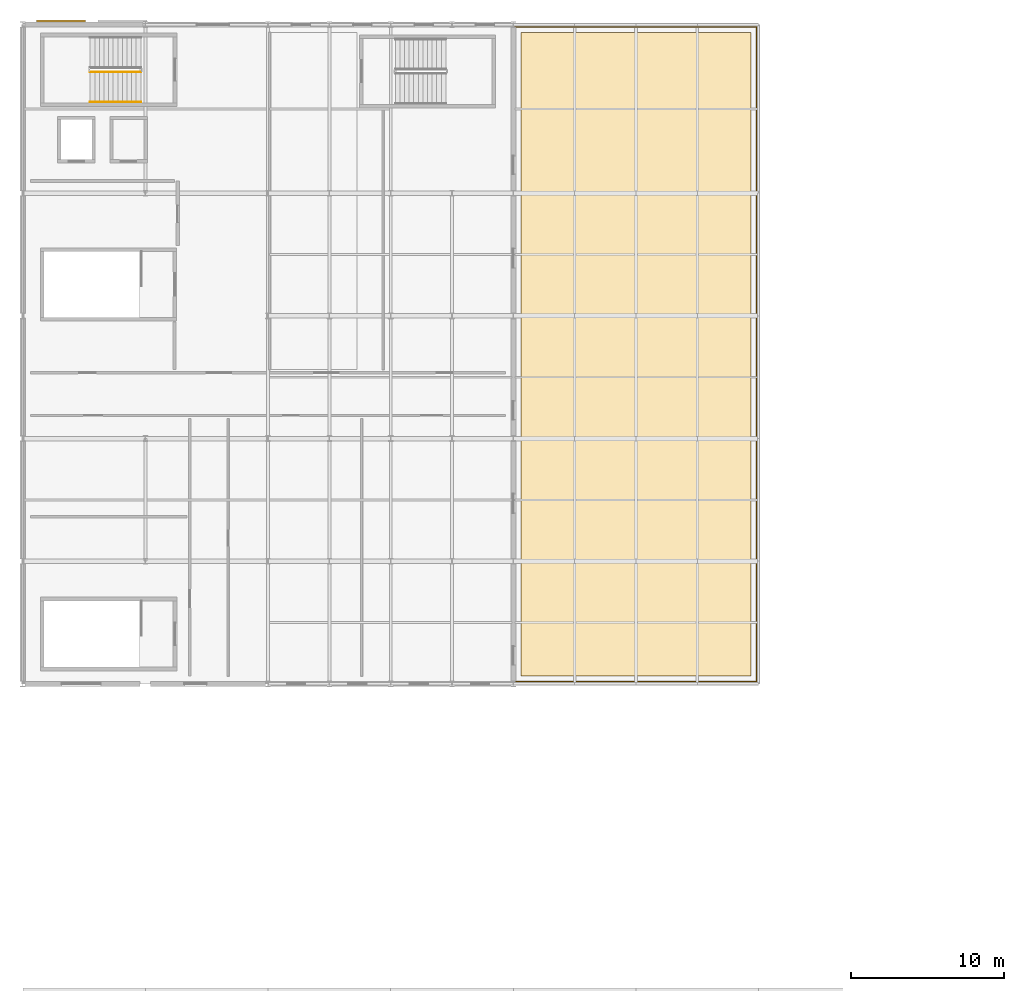
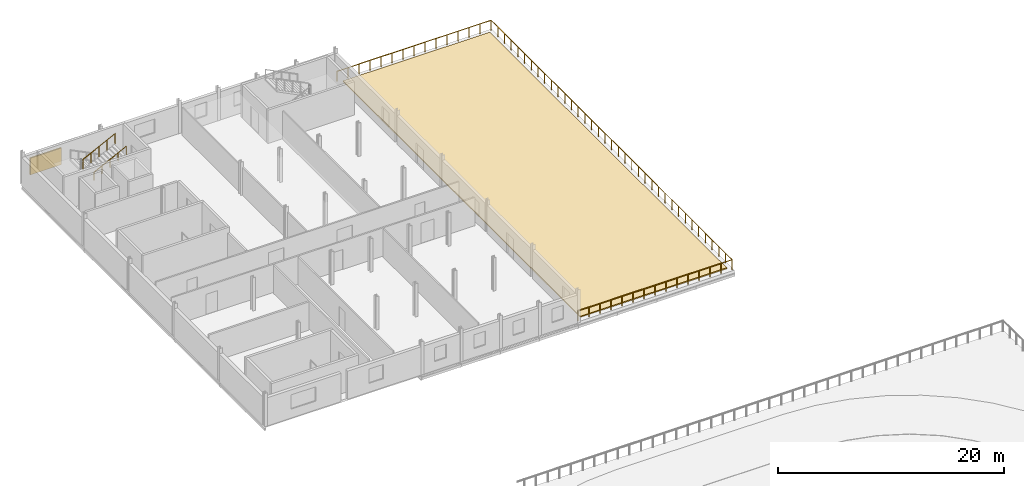
# One storey, part 10 of 11: 3 railings, 1 covering, 1 shading device.
"""IFC4 building model written with IfcOpenShell, lengths in metres."""

import ifcopenshell
import ifcopenshell.guid

model = None  # the IFC model being written
_history = None  # IfcOwnerHistory: only IFC2X3 demands one
_inside = {}  # id of a spatial element -> (the spatial element, [elements in it])
_under = {}  # id of a project, library or spatial element -> (it, [spatial elements below it])
_declared = {}  # id of a project -> (the project, [libraries it declares])
_typed = {}  # id of a type object -> (the type object, [elements of that type])
_made_of = {}  # id of a material, layer set ... -> (it, [elements and type objects made of it])


def new_model(schema):
    """Start an empty IFC model of exactly this schema.

    Asked for "IFC4X3", IfcOpenShell would pick the latest addendum, in which some entities
    have other attributes; the version numbers below select the first issue.
    IFC2X3 requires an IfcOwnerHistory on every rooted entity: one is made here for all.
    """
    global model, _history
    if schema == "IFC4X3":
        model = ifcopenshell.file(schema_version=(4, 3, 0, 0))
    else:
        model = ifcopenshell.file(schema=schema)
    _inside.clear()
    _under.clear()
    _declared.clear()
    _typed.clear()
    _made_of.clear()
    _history = None
    if model.schema == "IFC2X3":
        org = make("IfcOrganization", Name="unknown")
        user = make(
            "IfcPersonAndOrganization",
            ThePerson=make("IfcPerson", FamilyName="unknown"),
            TheOrganization=org,
        )
        app = make(
            "IfcApplication",
            ApplicationDeveloper=org,
            Version="unknown",
            ApplicationFullName="unknown",
            ApplicationIdentifier="unknown",
        )
        _history = make(
            "IfcOwnerHistory",
            OwningUser=user,
            OwningApplication=app,
            ChangeAction="ADDED",
            CreationDate=0,
        )
    return model


def make(cls, **values):
    """One entity of the class cls with the attributes given. An attribute that is None is left unset."""
    return model.create_entity(
        cls, **{name: value for name, value in values.items() if value is not None}
    )


def rooted(cls, **values):
    """An entity with a GlobalId (a new one), such as an element, a storey or a relation."""
    return make(cls, GlobalId=ifcopenshell.guid.new(), OwnerHistory=_history, **values)


def si_unit(unit_type, name, prefix=None):
    """IfcSIUnit, for example si_unit("LENGTHUNIT", "METRE", prefix="MILLI")."""
    return make("IfcSIUnit", UnitType=unit_type, Prefix=prefix, Name=name)


def derived_unit(unit_type, elements):
    """IfcDerivedUnit: a product of units, each with its exponent."""
    return make(
        "IfcDerivedUnit",
        Elements=[
            make("IfcDerivedUnitElement", Unit=unit, Exponent=power)
            for unit, power in elements
        ],
        UnitType=unit_type,
    )


def assignment(units):
    """IfcUnitAssignment: the units of a project."""
    return None if units is None else make("IfcUnitAssignment", Units=units)


def point(xyz):
    """IfcCartesianPoint."""
    return None if xyz is None else make("IfcCartesianPoint", Coordinates=xyz)


def direction(xyz):
    """IfcDirection."""
    return None if xyz is None else make("IfcDirection", DirectionRatios=xyz)


def frame(location, z_axis=None, x_axis=None):
    """IfcAxis2Placement3D, a coordinate frame: its origin and axes. An axis left out is left unset."""
    return make(
        "IfcAxis2Placement3D",
        Location=point(location),
        Axis=direction(z_axis),
        RefDirection=direction(x_axis),
    )


def frame_2d(location, x_axis=None):
    """IfcAxis2Placement2D, a coordinate frame in the plane: its origin and x axis."""
    return make(
        "IfcAxis2Placement2D", Location=point(location), RefDirection=direction(x_axis)
    )


def origin():
    """The frame at (0, 0, 0) with its axes left unset."""
    return frame((0.0, 0.0, 0.0))


def origin_2d():
    """The frame at (0, 0) in the plane with its x axis left unset."""
    return frame_2d((0.0, 0.0))


def place(relative_to, where):
    """IfcLocalPlacement: puts the frame where relative to a parent placement (None: the world)."""
    return make(
        "IfcLocalPlacement", PlacementRelTo=relative_to, RelativePlacement=where
    )


def context(
    kind, dimensions, precision=None, world=None, true_north=None, identifier=None
):
    """IfcGeometricRepresentationContext, for example the 3D "Model" context."""
    return make(
        "IfcGeometricRepresentationContext",
        ContextIdentifier=identifier,
        ContextType=kind,
        CoordinateSpaceDimension=dimensions,
        Precision=precision,
        WorldCoordinateSystem=world,
        TrueNorth=true_north,
    )


def subcontext(parent, identifier, kind, view, scale=None):
    """IfcGeometricRepresentationSubContext, for example "Body" below "Model"."""
    return make(
        "IfcGeometricRepresentationSubContext",
        ContextIdentifier=identifier,
        ContextType=kind,
        ParentContext=parent,
        TargetScale=scale,
        TargetView=view,
    )


def project(units=None, contexts=None):
    """IfcProject with its units and contexts."""
    return rooted(
        "IfcProject",
        Name="project",
        RepresentationContexts=contexts,
        UnitsInContext=assignment(units),
    )


def spatial(cls, under=None, at=None, **own):
    """A site, building, storey or space (cls), placed at a placement, below another one or the project."""
    s = rooted(cls, ObjectPlacement=at, **own)
    if under is not None:
        _under.setdefault(under.id(), (under, []))[1].append(s)
    return s


def polyline(points):
    """IfcPolyline through the points."""
    return make("IfcPolyline", Points=[point(p) for p in points])


def profile(cls, at=None, kind="AREA", **sizes):
    """A parametric profile (cls). Its sizes go by their IFC names, for example OverallWidth=200.0."""
    return make(cls, ProfileType=kind, Position=at, **sizes)


def rectangle(**sizes):
    """IfcRectangleProfileDef."""
    return profile("IfcRectangleProfileDef", **sizes)


def circle(**sizes):
    """IfcCircleProfileDef."""
    return profile("IfcCircleProfileDef", **sizes)


def outline(outer, holes=None, kind="AREA"):
    """IfcArbitraryClosedProfileDef: a profile drawn as a closed curve; with holes, ...WithVoids."""
    if holes is None:
        return make("IfcArbitraryClosedProfileDef", ProfileType=kind, OuterCurve=outer)
    return make(
        "IfcArbitraryProfileDefWithVoids",
        ProfileType=kind,
        OuterCurve=outer,
        InnerCurves=holes,
    )


def extrude(swept, where, along, depth):
    """IfcExtrudedAreaSolid: the profile swept, set in the frame where, extruded along a direction by depth."""
    return make(
        "IfcExtrudedAreaSolid",
        SweptArea=swept,
        Position=where,
        ExtrudedDirection=direction(along),
        Depth=depth,
    )


def shape(context_of_items, identifier, shape_type, items):
    """IfcShapeRepresentation: the items that make up one representation, for example the "Body"."""
    return make(
        "IfcShapeRepresentation",
        ContextOfItems=context_of_items,
        RepresentationIdentifier=identifier,
        RepresentationType=shape_type,
        Items=items,
    )


def material(Name=None, Category=None):
    """IfcMaterial."""
    return make("IfcMaterial", Name=Name, Category=Category)


def layer(
    of_material, thickness, ventilated=None, Name=None, Category=None, Priority=None
):
    """IfcMaterialLayer: one layer of a wall or slab, of a material (None: an air gap)."""
    return make(
        "IfcMaterialLayer",
        Material=of_material,
        LayerThickness=thickness,
        IsVentilated=ventilated,
        Name=Name,
        Category=Category,
        Priority=Priority,
    )


def layer_set(layers, Name=None):
    """IfcMaterialLayerSet."""
    return make("IfcMaterialLayerSet", MaterialLayers=layers, LayerSetName=Name)


def made_of(thing, what):
    """Note that an element or type object is made of a material, layer set ...; save() writes the relation."""
    if what is not None:
        _made_of.setdefault(what.id(), (what, []))[1].append(thing)
    return thing


def type_object(cls, material=None, **own):
    """A type object (cls), such as IfcWallType, which elements share."""
    return made_of(rooted(cls, **own), material)


def element(
    cls,
    number,
    at=None,
    inside=None,
    cuts=None,
    type_object=None,
    material=None,
    context=None,
    identifier="Body",
    shape_type=None,
    held_by="IfcProductDefinitionShape",
    body=None,
    shapes=None,
    **own,
):
    """One element of the class cls, such as IfcWall. Its Tag is "e" and its number.

    at: its placement. inside: the storey or other place that contains it. cuts: it is an
    opening in that element (IfcRelVoidsElement). A single representation is given by context,
    identifier, shape_type and body (its items); several are given by shapes. held_by: the class
    of the entity that holds the representations. save() writes the other relations.
    """
    e = rooted(cls, Tag="e%d" % number, ObjectPlacement=at, **own)
    if body is not None:
        shapes = [shape(context, identifier, shape_type, body)]
    if shapes is not None:
        e.Representation = make(held_by, Representations=shapes)
    if inside is not None:
        _inside.setdefault(inside.id(), (inside, []))[1].append(e)
    if cuts is not None:
        rooted(
            "IfcRelVoidsElement", RelatingBuildingElement=cuts, RelatedOpeningElement=e
        )
    if type_object is not None:
        _typed.setdefault(type_object.id(), (type_object, []))[1].append(e)
    return made_of(e, material)


def aggregate(whole, parts):
    """IfcRelAggregates: a whole, such as a stair, and the parts it consists of."""
    return rooted("IfcRelAggregates", RelatingObject=whole, RelatedObjects=parts)


def save(model, path):
    """Write the relations noted so far, then the file.

    IfcRelAggregates (storeys below a building ...), IfcRelContainedInSpatialStructure (elements
    in a storey), IfcRelDefinesByType, IfcRelAssociatesMaterial and IfcRelDeclares: one each for
    every whole, place, type object, material and project.
    """
    for whole, parts in _under.values():
        aggregate(whole, parts)
    for where, things in _inside.values():
        rooted(
            "IfcRelContainedInSpatialStructure",
            RelatedElements=things,
            RelatingStructure=where,
        )
    for kind, things in _typed.values():
        rooted("IfcRelDefinesByType", RelatedObjects=things, RelatingType=kind)
    for what, things in _made_of.values():
        rooted("IfcRelAssociatesMaterial", RelatedObjects=things, RelatingMaterial=what)
    for by, libraries in _declared.values():
        rooted("IfcRelDeclares", RelatingContext=by, RelatedDefinitions=libraries)
    model.write(path)


model = new_model("IFC4")

# Units and contexts
model_context = context("Model", 3, precision=1e-05, world=origin(), true_north=direction((0.0, 1.0)))
body_context = subcontext(model_context, "Body", "Model", "MODEL_VIEW")
ifc_project = project(units=[si_unit("LENGTHUNIT", "METRE"), si_unit("AREAUNIT", "SQUARE_METRE"), si_unit("VOLUMEUNIT", "CUBIC_METRE"), si_unit("PLANEANGLEUNIT", "RADIAN"), si_unit("MASSUNIT", "GRAM", prefix="KILO"), derived_unit("THERMALTRANSMITTANCEUNIT", [(si_unit("POWERUNIT", "WATT"), 1), (si_unit("LENGTHUNIT", "METRE"), -2), (si_unit("THERMODYNAMICTEMPERATUREUNIT", "KELVIN"), -1)])], contexts=[model_context])

# Site, building, storey
site_placement = place(None, origin())
site = spatial("IfcSite", under=ifc_project, at=site_placement, CompositionType="ELEMENT")
building_placement = place(site_placement, origin())
building = spatial("IfcBuilding", under=site, at=building_placement, Name="Keldorne Ridge Multi-Sports Centre", CompositionType="ELEMENT")
storey_placement = place(building_placement, frame((0.0, 0.0, 18.60009765625)))
storey = spatial("IfcBuildingStorey", under=building, at=storey_placement, Name="L04", CompositionType="ELEMENT", Elevation=18.60009765625)

# Covering
ifc_material_1 = material(Name="EPDM and sedum extensive green roof")
ifc_layer = layer(ifc_material_1, 0.1201171875)
ifc_layer_set = layer_set([ifc_layer])
covering_type = type_object("IfcCoveringType", Name="COV-RF-02", PredefinedType="MEMBRANE", material=ifc_layer_set)
covering_placement = place(storey_placement, origin())
element("IfcCovering", 1, at=covering_placement, inside=storey, type_object=covering_type, Name="Fourth floor stepped roof garden planting", PredefinedType="MEMBRANE", context=body_context, shape_type="SweptSolid", body=[
    extrude(outline(polyline([(136.5, 74.5), (151.5, 74.5), (151.5, 116.5), (136.5, 116.5), (136.5, 74.5)])), origin(), (0.0, 0.0, 1.0), 0.119873046875),
])

# Railings
ifc_material_2 = material(Name="Laminated glass and stainless steel", Category="steel")
railing_type_1 = type_object("IfcRailingType", Name="RLG-BL-01", PredefinedType="BALUSTRADE", material=ifc_material_2)
railing_1_placement = place(storey_placement, frame((108.39990234375, 113.909912109375, 1.949951171875)))
element("IfcRailing", 2, at=railing_1_placement, inside=storey, type_object=railing_type_1, Name="L04 ST-01 stair guard 3", PredefinedType="BALUSTRADE", context=body_context, shape_type="SweptSolid", body=[
    extrude(circle(Radius=0.02392578125, at=origin_2d()), frame((0.0, 0.0, 1.076171875), z_axis=(0.894440424912, 0.0, 0.447187126696), x_axis=(0.0, 1.0, 0.0)), (0.0, 0.0, 1.0), 3.689453125),
    extrude(circle(Radius=0.02099609375, at=origin_2d()), origin(), (0.0, 0.0, 1.0), 1.052001953125),
    extrude(circle(Radius=0.02099609375, at=origin_2d()), frame((0.824951171875, 0.0, 0.41259765625)), (0.0, 0.0, 1.0), 1.052001953125),
    extrude(circle(Radius=0.02099609375, at=origin_2d()), frame((1.64990234375, 0.0, 0.824951171875)), (0.0, 0.0, 1.0), 1.052001953125),
    extrude(circle(Radius=0.02099609375, at=origin_2d()), frame((2.47509765625, 0.0, 1.2373046875)), (0.0, 0.0, 1.0), 1.052001953125),
    extrude(circle(Radius=0.02099609375, at=origin_2d()), frame((3.300048828125, 0.0, 1.64990234375)), (0.0, 0.0, 1.0), 1.052001953125),
])
ifc_material_3 = material(Name="Galvanized steel", Category="steel")
railing_type_2 = type_object("IfcRailingType", Name="RLG-GR-02", PredefinedType="GUARDRAIL", material=ifc_material_3)
railing_2_placement = place(storey_placement, frame((136.10009765625, 74.14990234375, 0.0)))
element("IfcRailing", 3, at=railing_2_placement, inside=storey, type_object=railing_type_2, Name="Perimeter safety guardrail RLG-GDN4-PER", PredefinedType="GUARDRAIL", context=body_context, shape_type="SweptSolid", body=[
    extrude(circle(Radius=0.02392578125, at=origin_2d()), frame((0.0, 0.0, 1.076171875), z_axis=(1.0, 0.0, 0.0), x_axis=(0.0, 1.0, 0.0)), (0.0, 0.0, 1.0), 15.75),
    extrude(circle(Radius=0.02392578125, at=origin_2d()), frame((15.75, 0.0, 1.076171875), z_axis=(0.0, 1.0, 0.0), x_axis=(-1.0, 0.0, 0.0)), (0.0, 0.0, 1.0), 42.7001953125),
    extrude(circle(Radius=0.02392578125, at=origin_2d()), frame((15.75, 42.7001953125, 1.076171875), z_axis=(-1.0, 0.0, 0.0), x_axis=(0.0, -1.0, 0.0)), (0.0, 0.0, 1.0), 15.75),
    extrude(circle(Radius=0.02099609375, at=origin_2d()), origin(), (0.0, 0.0, 1.0), 1.052001953125),
    extrude(circle(Radius=0.02099609375, at=origin_2d()), frame((1.125, 0.0, 0.0)), (0.0, 0.0, 1.0), 1.052001953125),
    extrude(circle(Radius=0.02099609375, at=origin_2d()), frame((2.25, 0.0, 0.0)), (0.0, 0.0, 1.0), 1.052001953125),
    extrude(circle(Radius=0.02099609375, at=origin_2d()), frame((3.375, 0.0, 0.0)), (0.0, 0.0, 1.0), 1.052001953125),
    extrude(circle(Radius=0.02099609375, at=origin_2d()), frame((4.5, 0.0, 0.0)), (0.0, 0.0, 1.0), 1.052001953125),
    extrude(circle(Radius=0.02099609375, at=origin_2d()), frame((5.625, 0.0, 0.0)), (0.0, 0.0, 1.0), 1.052001953125),
    extrude(circle(Radius=0.02099609375, at=origin_2d()), frame((6.75, 0.0, 0.0)), (0.0, 0.0, 1.0), 1.052001953125),
    extrude(circle(Radius=0.02099609375, at=origin_2d()), frame((7.875, 0.0, 0.0)), (0.0, 0.0, 1.0), 1.052001953125),
    extrude(circle(Radius=0.02099609375, at=origin_2d()), frame((9.0, 0.0, 0.0)), (0.0, 0.0, 1.0), 1.052001953125),
    extrude(circle(Radius=0.02099609375, at=origin_2d()), frame((10.125, 0.0, 0.0)), (0.0, 0.0, 1.0), 1.052001953125),
    extrude(circle(Radius=0.02099609375, at=origin_2d()), frame((11.25, 0.0, 0.0)), (0.0, 0.0, 1.0), 1.052001953125),
    extrude(circle(Radius=0.02099609375, at=origin_2d()), frame((12.375, 0.0, 0.0)), (0.0, 0.0, 1.0), 1.052001953125),
    extrude(circle(Radius=0.02099609375, at=origin_2d()), frame((13.5, 0.0, 0.0)), (0.0, 0.0, 1.0), 1.052001953125),
    extrude(circle(Radius=0.02099609375, at=origin_2d()), frame((14.625, 0.0, 0.0)), (0.0, 0.0, 1.0), 1.052001953125),
    extrude(circle(Radius=0.02099609375, at=origin_2d()), frame((15.75, 0.0, 0.0)), (0.0, 0.0, 1.0), 1.052001953125),
    extrude(circle(Radius=0.02099609375, at=origin_2d()), frame((15.75, 1.18603515625, 0.0)), (0.0, 0.0, 1.0), 1.052001953125),
    extrude(circle(Radius=0.02099609375, at=origin_2d()), frame((15.75, 2.372314453125, 0.0)), (0.0, 0.0, 1.0), 1.052001953125),
    extrude(circle(Radius=0.02099609375, at=origin_2d()), frame((15.75, 3.558349609375, 0.0)), (0.0, 0.0, 1.0), 1.052001953125),
    extrude(circle(Radius=0.02099609375, at=origin_2d()), frame((15.75, 4.744384765625, 0.0)), (0.0, 0.0, 1.0), 1.052001953125),
    extrude(circle(Radius=0.02099609375, at=origin_2d()), frame((15.75, 5.9306640625, 0.0)), (0.0, 0.0, 1.0), 1.052001953125),
    extrude(circle(Radius=0.02099609375, at=origin_2d()), frame((15.75, 7.11669921875, 0.0)), (0.0, 0.0, 1.0), 1.052001953125),
    extrude(circle(Radius=0.02099609375, at=origin_2d()), frame((15.75, 8.302734375, 0.0)), (0.0, 0.0, 1.0), 1.052001953125),
    extrude(circle(Radius=0.02099609375, at=origin_2d()), frame((15.75, 9.489013671875, 0.0)), (0.0, 0.0, 1.0), 1.052001953125),
    extrude(circle(Radius=0.02099609375, at=origin_2d()), frame((15.75, 10.675048828125, 0.0)), (0.0, 0.0, 1.0), 1.052001953125),
    extrude(circle(Radius=0.02099609375, at=origin_2d()), frame((15.75, 11.861083984375, 0.0)), (0.0, 0.0, 1.0), 1.052001953125),
    extrude(circle(Radius=0.02099609375, at=origin_2d()), frame((15.75, 13.04736328125, 0.0)), (0.0, 0.0, 1.0), 1.052001953125),
    extrude(circle(Radius=0.02099609375, at=origin_2d()), frame((15.75, 14.2333984375, 0.0)), (0.0, 0.0, 1.0), 1.052001953125),
    extrude(circle(Radius=0.02099609375, at=origin_2d()), frame((15.75, 15.41943359375, 0.0)), (0.0, 0.0, 1.0), 1.052001953125),
    extrude(circle(Radius=0.02099609375, at=origin_2d()), frame((15.75, 16.605712890625, 0.0)), (0.0, 0.0, 1.0), 1.052001953125),
    extrude(circle(Radius=0.02099609375, at=origin_2d()), frame((15.75, 17.791748046875, 0.0)), (0.0, 0.0, 1.0), 1.052001953125),
    extrude(circle(Radius=0.02099609375, at=origin_2d()), frame((15.75, 18.977783203125, 0.0)), (0.0, 0.0, 1.0), 1.052001953125),
    extrude(circle(Radius=0.02099609375, at=origin_2d()), frame((15.75, 20.1640625, 0.0)), (0.0, 0.0, 1.0), 1.052001953125),
    extrude(circle(Radius=0.02099609375, at=origin_2d()), frame((15.75, 21.35009765625, 0.0)), (0.0, 0.0, 1.0), 1.052001953125),
    extrude(circle(Radius=0.02099609375, at=origin_2d()), frame((15.75, 22.5361328125, 0.0)), (0.0, 0.0, 1.0), 1.052001953125),
    extrude(circle(Radius=0.02099609375, at=origin_2d()), frame((15.75, 23.722412109375, 0.0)), (0.0, 0.0, 1.0), 1.052001953125),
    extrude(circle(Radius=0.02099609375, at=origin_2d()), frame((15.75, 24.908447265625, 0.0)), (0.0, 0.0, 1.0), 1.052001953125),
    extrude(circle(Radius=0.02099609375, at=origin_2d()), frame((15.75, 26.094482421875, 0.0)), (0.0, 0.0, 1.0), 1.052001953125),
    extrude(circle(Radius=0.02099609375, at=origin_2d()), frame((15.75, 27.28076171875, 0.0)), (0.0, 0.0, 1.0), 1.052001953125),
    extrude(circle(Radius=0.02099609375, at=origin_2d()), frame((15.75, 28.466796875, 0.0)), (0.0, 0.0, 1.0), 1.052001953125),
    extrude(circle(Radius=0.02099609375, at=origin_2d()), frame((15.75, 29.65283203125, 0.0)), (0.0, 0.0, 1.0), 1.052001953125),
    extrude(circle(Radius=0.02099609375, at=origin_2d()), frame((15.75, 30.839111328125, 0.0)), (0.0, 0.0, 1.0), 1.052001953125),
    extrude(circle(Radius=0.02099609375, at=origin_2d()), frame((15.75, 32.025146484375, 0.0)), (0.0, 0.0, 1.0), 1.052001953125),
    extrude(circle(Radius=0.02099609375, at=origin_2d()), frame((15.75, 33.211181640625, 0.0)), (0.0, 0.0, 1.0), 1.052001953125),
    extrude(circle(Radius=0.02099609375, at=origin_2d()), frame((15.75, 34.3974609375, 0.0)), (0.0, 0.0, 1.0), 1.052001953125),
    extrude(circle(Radius=0.02099609375, at=origin_2d()), frame((15.75, 35.58349609375, 0.0)), (0.0, 0.0, 1.0), 1.052001953125),
    extrude(circle(Radius=0.02099609375, at=origin_2d()), frame((15.75, 36.76953125, 0.0)), (0.0, 0.0, 1.0), 1.052001953125),
    extrude(circle(Radius=0.02099609375, at=origin_2d()), frame((15.75, 37.955810546875, 0.0)), (0.0, 0.0, 1.0), 1.052001953125),
    extrude(circle(Radius=0.02099609375, at=origin_2d()), frame((15.75, 39.141845703125, 0.0)), (0.0, 0.0, 1.0), 1.052001953125),
    extrude(circle(Radius=0.02099609375, at=origin_2d()), frame((15.75, 40.327880859375, 0.0)), (0.0, 0.0, 1.0), 1.052001953125),
    extrude(circle(Radius=0.02099609375, at=origin_2d()), frame((15.75, 41.51416015625, 0.0)), (0.0, 0.0, 1.0), 1.052001953125),
    extrude(circle(Radius=0.02099609375, at=origin_2d()), frame((15.75, 42.7001953125, 0.0)), (0.0, 0.0, 1.0), 1.052001953125),
    extrude(circle(Radius=0.02099609375, at=origin_2d()), frame((14.625, 42.7001953125, 0.0)), (0.0, 0.0, 1.0), 1.052001953125),
    extrude(circle(Radius=0.02099609375, at=origin_2d()), frame((13.5, 42.7001953125, 0.0)), (0.0, 0.0, 1.0), 1.052001953125),
    extrude(circle(Radius=0.02099609375, at=origin_2d()), frame((12.375, 42.7001953125, 0.0)), (0.0, 0.0, 1.0), 1.052001953125),
    extrude(circle(Radius=0.02099609375, at=origin_2d()), frame((11.25, 42.7001953125, 0.0)), (0.0, 0.0, 1.0), 1.052001953125),
    extrude(circle(Radius=0.02099609375, at=origin_2d()), frame((10.125, 42.7001953125, 0.0)), (0.0, 0.0, 1.0), 1.052001953125),
    extrude(circle(Radius=0.02099609375, at=origin_2d()), frame((9.0, 42.7001953125, 0.0)), (0.0, 0.0, 1.0), 1.052001953125),
    extrude(circle(Radius=0.02099609375, at=origin_2d()), frame((7.875, 42.7001953125, 0.0)), (0.0, 0.0, 1.0), 1.052001953125),
    extrude(circle(Radius=0.02099609375, at=origin_2d()), frame((6.75, 42.7001953125, 0.0)), (0.0, 0.0, 1.0), 1.052001953125),
    extrude(circle(Radius=0.02099609375, at=origin_2d()), frame((5.625, 42.7001953125, 0.0)), (0.0, 0.0, 1.0), 1.052001953125),
    extrude(circle(Radius=0.02099609375, at=origin_2d()), frame((4.5, 42.7001953125, 0.0)), (0.0, 0.0, 1.0), 1.052001953125),
    extrude(circle(Radius=0.02099609375, at=origin_2d()), frame((3.375, 42.7001953125, 0.0)), (0.0, 0.0, 1.0), 1.052001953125),
    extrude(circle(Radius=0.02099609375, at=origin_2d()), frame((2.25, 42.7001953125, 0.0)), (0.0, 0.0, 1.0), 1.052001953125),
    extrude(circle(Radius=0.02099609375, at=origin_2d()), frame((1.125, 42.7001953125, 0.0)), (0.0, 0.0, 1.0), 1.052001953125),
    extrude(circle(Radius=0.02099609375, at=origin_2d()), frame((0.0, 42.7001953125, 0.0)), (0.0, 0.0, 1.0), 1.052001953125),
])
ifc_material_4 = material(Name="Stainless steel", Category="steel")
railing_type_3 = type_object("IfcRailingType", Name="RLG-HR-01", PredefinedType="HANDRAIL", material=ifc_material_4)
railing_3_placement = place(storey_placement, frame((108.39990234375, 111.949951171875, 1.949951171875)))
element("IfcRailing", 4, at=railing_3_placement, inside=storey, type_object=railing_type_3, Name="L04 ST-01 stair handrail 2", PredefinedType="HANDRAIL", context=body_context, shape_type="SweptSolid", body=[
    extrude(circle(Radius=0.02392578125, at=origin_2d()), frame((0.0, 0.0, 0.8759765625), z_axis=(0.894440424912, 0.0, 0.447187126696), x_axis=(0.0, 1.0, 0.0)), (0.0, 0.0, 1.0), 3.689453125),
    extrude(circle(Radius=0.02099609375, at=origin_2d()), origin(), (0.0, 0.0, 1.0), 0.851806640625),
    extrude(circle(Radius=0.02099609375, at=origin_2d()), frame((0.824951171875, 0.0, 0.41259765625)), (0.0, 0.0, 1.0), 0.851806640625),
    extrude(circle(Radius=0.02099609375, at=origin_2d()), frame((1.64990234375, 0.0, 0.824951171875)), (0.0, 0.0, 1.0), 0.851806640625),
    extrude(circle(Radius=0.02099609375, at=origin_2d()), frame((2.47509765625, 0.0, 1.2373046875)), (0.0, 0.0, 1.0), 0.851806640625),
    extrude(circle(Radius=0.02099609375, at=origin_2d()), frame((3.300048828125, 0.0, 1.64990234375)), (0.0, 0.0, 1.0), 0.851806640625),
])

# Shading device
ifc_material_5 = material(Name="Anodized aluminium", Category="aluminium")
shading_device_type = type_object("IfcShadingDeviceType", Name="SHD-LV-01", PredefinedType="USERDEFINED", material=ifc_material_5)
shading_device_placement = place(storey_placement, frame((106.5, 117.22998046875, 0.60009765625), z_axis=(0.0, 0.0, 1.0), x_axis=(1.0, 0.0, 0.0)))
element("IfcShadingDevice", 5, at=shading_device_placement, inside=storey, type_object=shading_device_type, Name="Acoustic weather louvre LV-01", ObjectType="LOUVRE", PredefinedType="USERDEFINED", context=body_context, shape_type="SweptSolid", body=[
    extrude(rectangle(XDim=3.199951171875, YDim=0.139892578125, at=origin_2d()), origin(), (0.0, 0.0, 1.0), 1.800048828125),
])

save(model, "model.ifc")
